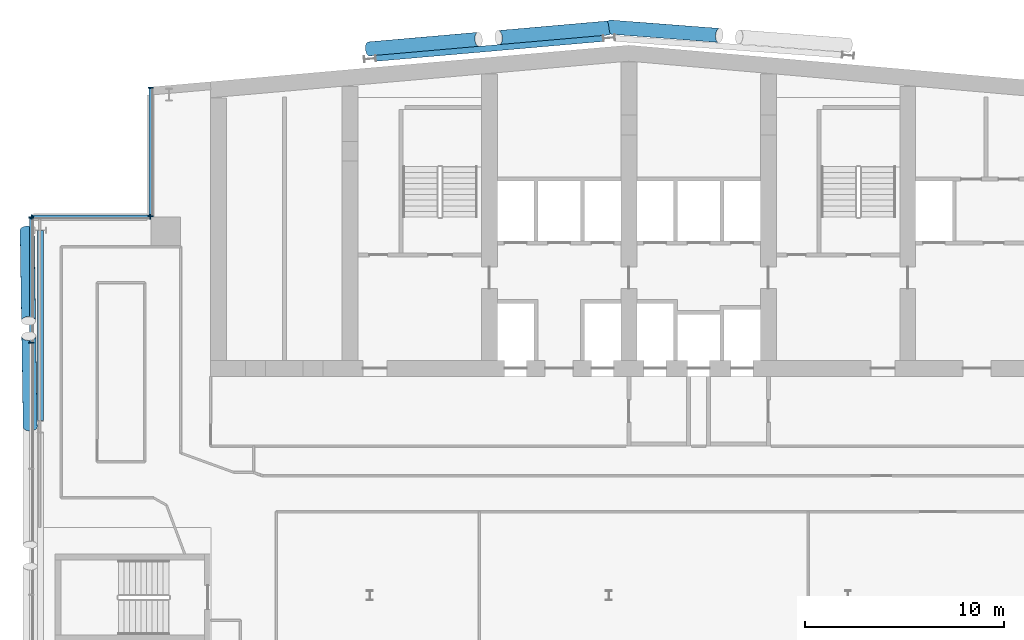
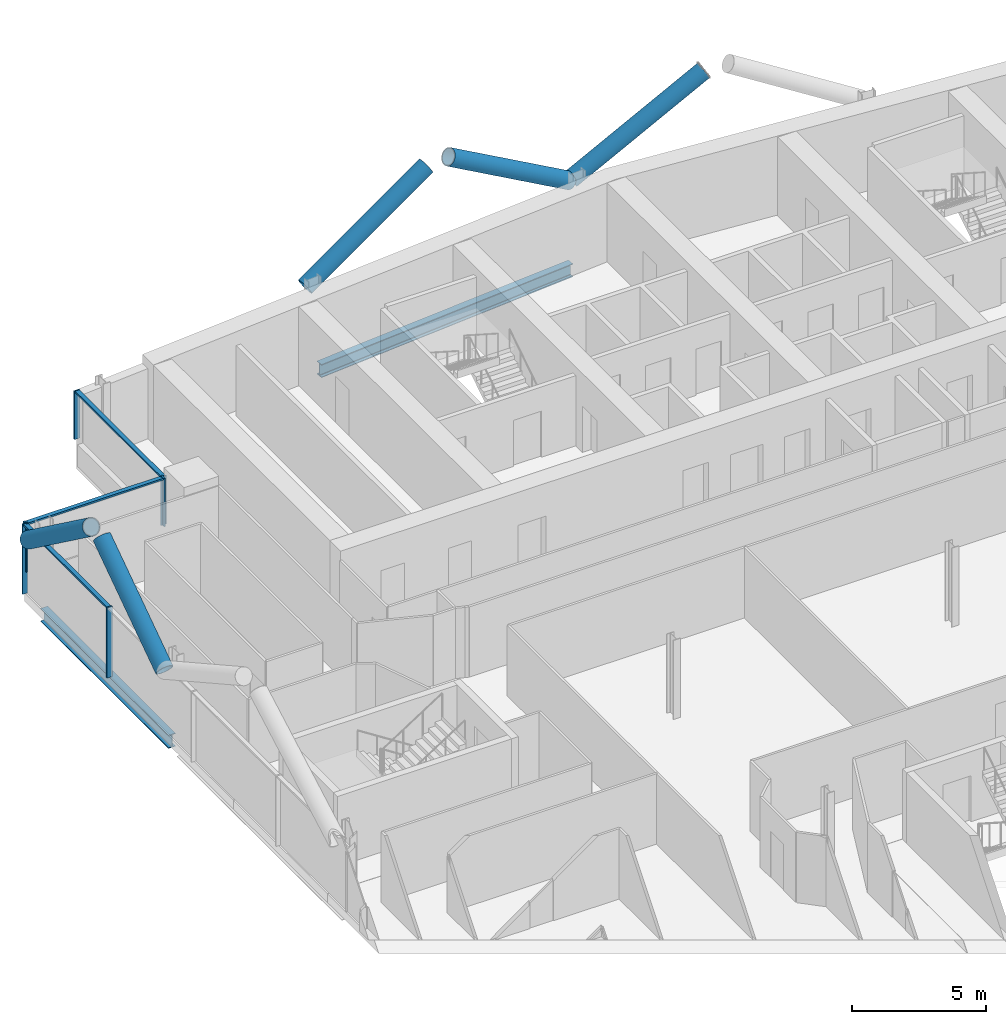
# One storey, part 9 of 27: 14 members, 2 beams, 3 elements without a shape of their own.
"""IFC4 building model written with IfcOpenShell, lengths in metres."""

from ifc_helpers import new_model, si_unit, direction, frame, origin, origin_2d, place, context, subcontext, project, spatial, rectangle, hollow_circle, i_section, extrude, material, material_profile, profile_set, type_object, element, aggregate, save


model = new_model("IFC4")

# Units and contexts
model_context = context("Model", 3, precision=1e-05, world=origin(), true_north=direction((0.0, 1.0)))
body_context = subcontext(model_context, "Body", "Model", "MODEL_VIEW")
ifc_project = project(units=[si_unit("LENGTHUNIT", "METRE"), si_unit("AREAUNIT", "SQUARE_METRE"), si_unit("VOLUMEUNIT", "CUBIC_METRE"), si_unit("PLANEANGLEUNIT", "RADIAN"), si_unit("MASSUNIT", "GRAM", prefix="KILO")], contexts=[model_context])

# Site, building, storey
site_placement = place(None, origin())
site = spatial("IfcSite", under=ifc_project, at=site_placement, CompositionType="ELEMENT")
building_placement = place(site_placement, origin())
building = spatial("IfcBuilding", under=site, at=building_placement, Name="Wharfspan Tower", CompositionType="ELEMENT")
storey_placement = place(building_placement, frame((0.0, 0.0, 191.5)))
storey = spatial("IfcBuildingStorey", under=building, at=storey_placement, Name="L47", CompositionType="ELEMENT", Elevation=191.5)

# Beams
ifc_material_1 = material(Name="Steel S355J2", Category="steel")
ifc_material_profile_1 = material_profile(ifc_material_1, i_section(OverallWidth=0.300049, OverallDepth=0.600098, WebThickness=0.015381, FlangeThickness=0.030029, FilletRadius=0.0271, at=origin_2d()))
ifc_profile_set_1 = profile_set([ifc_material_profile_1], Name="Steel S355J2")
beam_type = type_object("IfcBeamType", Name="Edge beam HEB 600", PredefinedType="SPANDREL", material=ifc_profile_set_1)
beam_1_placement = place(storey_placement, frame((35.705078, 50.961426, -0.699951), z_axis=(-0.996194, -0.087158, 0.0), x_axis=(0.087158, -0.996194, 0.0)))
element("IfcBeam", 1, at=beam_1_placement, inside=storey, type_object=beam_type, Name="Edge beam N1 L47 R.2 to R.1", PredefinedType="SPANDREL", context=body_context, shape_type="SweptSolid", body=[
    extrude(i_section(OverallWidth=0.300049, OverallDepth=0.600098, WebThickness=0.015381, FlangeThickness=0.030029, FilletRadius=0.0271, at=origin_2d()), origin(), (0.0, 0.0, 1.0), 11.453857),
])
beam_2_placement = place(storey_placement, frame((7.450439, 41.32666, -0.699951), z_axis=(-5.1e-05, -1.0, 0.0), x_axis=(1.0, -5.1e-05, 0.0)))
element("IfcBeam", 2, at=beam_2_placement, inside=storey, type_object=beam_type, Name="Edge beam W L47 PNRW-H.1 to PW.1", PredefinedType="SPANDREL", context=body_context, shape_type="SweptSolid", body=[
    extrude(i_section(OverallWidth=0.300049, OverallDepth=0.600098, WebThickness=0.015381, FlangeThickness=0.030029, FilletRadius=0.0271, at=origin_2d()), origin(), (0.0, 0.0, 1.0), 9.553955),
])

# Curtain wall, members
ifc_material_2 = material(Name="Aluminium 6063-T6", Category="aluminium")
curtain_wall_type = type_object("IfcCurtainWallType", Name="CURTAIN WALL PROW AND END", PredefinedType="NOTDEFINED", material=ifc_material_2)
curtain_wall_1_placement = place(storey_placement, origin())
curtain_wall_1 = element("IfcCurtainWall", 3, at=curtain_wall_1_placement, inside=storey, type_object=curtain_wall_type, Name="Curtain wall NRW-V", PredefinedType="NOTDEFINED")
ifc_material_profile_2 = material_profile(ifc_material_2, rectangle(XDim=0.23999, YDim=0.060059, at=origin_2d()))
ifc_profile_set_2 = profile_set([ifc_material_profile_2], Name="Aluminium 6063-T6")
member_type_1 = type_object("IfcMemberType", Name="MULLION PROW AND END 60x240", PredefinedType="MULLION", material=ifc_profile_set_2)
member_1_placement = place(storey_placement, frame((13.0, 48.494873, 1.0), z_axis=(0.0, 0.0, 1.0), x_axis=(1.0, 0.0, 0.0)))
member_1 = element("IfcMember", 4, at=member_1_placement, type_object=member_type_1, Name="Curtain wall NRW-V mullion 1", PredefinedType="MULLION", context=body_context, shape_type="SweptSolid", body=[
    extrude(rectangle(XDim=0.23999, YDim=0.060059, at=origin_2d()), origin(), (0.0, 0.0, 1.0), 2.199951),
])
member_2_placement = place(storey_placement, frame((13.0, 42.030029, 1.0), z_axis=(0.0, 0.0, 1.0), x_axis=(1.0, 0.0, 0.0)))
member_2 = element("IfcMember", 5, at=member_2_placement, type_object=member_type_1, Name="Curtain wall NRW-V mullion 2", PredefinedType="MULLION", context=body_context, shape_type="SweptSolid", body=[
    extrude(rectangle(XDim=0.23999, YDim=0.060059, at=origin_2d()), origin(), (0.0, 0.0, 1.0), 2.199951),
])

curtain_wall_2_placement = place(storey_placement, origin())
curtain_wall_2 = element("IfcCurtainWall", 6, at=curtain_wall_2_placement, inside=storey, type_object=curtain_wall_type, Name="Curtain wall NRW-H", PredefinedType="NOTDEFINED")
member_3_placement = place(storey_placement, frame((12.969971, 42.0, 1.0), z_axis=(0.0, 0.0, 1.0), x_axis=(0.0, -1.0, 0.0)))
member_3 = element("IfcMember", 7, at=member_3_placement, type_object=member_type_1, Name="Curtain wall NRW-H mullion 1", PredefinedType="MULLION", context=body_context, shape_type="SweptSolid", body=[
    extrude(rectangle(XDim=0.23999, YDim=0.060059, at=origin_2d()), origin(), (0.0, 0.0, 1.0), 2.199951),
])
member_4_placement = place(storey_placement, frame((7.030029, 42.0, 1.0), z_axis=(0.0, 0.0, 1.0), x_axis=(0.0, -1.0, 0.0)))
member_4 = element("IfcMember", 8, at=member_4_placement, type_object=member_type_1, Name="Curtain wall NRW-H mullion 2", PredefinedType="MULLION", context=body_context, shape_type="SweptSolid", body=[
    extrude(rectangle(XDim=0.23999, YDim=0.060059, at=origin_2d()), origin(), (0.0, 0.0, 1.0), 2.199951),
])

curtain_wall_3_placement = place(storey_placement, origin())
curtain_wall_3 = element("IfcCurtainWall", 9, at=curtain_wall_3_placement, inside=storey, type_object=curtain_wall_type, Name="Curtain wall W", PredefinedType="NOTDEFINED")
member_5_placement = place(storey_placement, frame((7.0, 41.969971, 0.0), z_axis=(0.0, 0.0, 1.0), x_axis=(1.0, 0.0, 0.0)))
member_5 = element("IfcMember", 10, at=member_5_placement, type_object=member_type_1, Name="Curtain wall W mullion 1", PredefinedType="MULLION", context=body_context, shape_type="SweptSolid", body=[
    extrude(rectangle(XDim=0.23999, YDim=0.060059, at=origin_2d()), origin(), (0.0, 0.0, 1.0), 3.199951),
])
member_6_placement = place(storey_placement, frame((7.0, 35.679932, 0.0), z_axis=(0.0, 0.0, 1.0), x_axis=(1.0, 0.0, 0.0)))
member_6 = element("IfcMember", 11, at=member_6_placement, type_object=member_type_1, Name="Curtain wall W mullion 2", PredefinedType="MULLION", context=body_context, shape_type="SweptSolid", body=[
    extrude(rectangle(XDim=0.23999, YDim=0.060059, at=origin_2d()), origin(), (0.0, 0.0, 1.0), 3.199951),
])

# Members
ifc_material_3 = material(Name="Steel S460NH", Category="steel")
ifc_material_profile_3 = material_profile(ifc_material_3, hollow_circle(Radius=0.355469, WallThickness=0.035889, at=origin_2d()))
ifc_profile_set_3 = profile_set([ifc_material_profile_3], Name="Steel S460NH")
member_type_2 = type_object("IfcMemberType", Name="Mega brace CHS 711x36", PredefinedType="BRACE", material=ifc_profile_set_3)
for number, where, z_axis, x_axis, name in (
    (12, (6.788086, 41.333008, 2.899902), (0.01285, -0.807696, 0.589459), (0.999875, 0.015906, -2e-06), "Mega brace W4 L48 part 1"),
    (13, (6.945068, 31.466553, 2.899902), (-0.01285, 0.807711, 0.589439), (-0.999876, -0.015905, -3e-06), "Mega brace W4 L48 part 3"),
):
    element("IfcMember", number, at=place(storey_placement, frame(where, z_axis=z_axis, x_axis=x_axis)), inside=storey, type_object=member_type_2, Name=name, PredefinedType="BRACE", context=body_context, shape_type="SweptSolid", body=[
        extrude(hollow_circle(Radius=0.355469, WallThickness=0.035889, at=origin_2d()), origin(), (0.0, 0.0, 1.0), 5.623779),
    ])
member_7_placement = place(storey_placement, frame((23.956299, 50.437988, 2.899902), z_axis=(0.855083, 0.074809, 0.513065), x_axis=(-0.087154, 0.996196, -1e-06)))
element("IfcMember", 14, at=member_7_placement, inside=storey, type_object=member_type_2, Name="Mega brace N7 L48 part 1", PredefinedType="BRACE", context=body_context, shape_type="SweptSolid", body=[
    extrude(hollow_circle(Radius=0.355469, WallThickness=0.035889, at=origin_2d()), origin(), (0.0, 0.0, 1.0), 6.425781),
])
member_8_placement = place(storey_placement, frame((35.956299, 51.487793, 2.899902), z_axis=(-0.855094, -0.074807, 0.513049), x_axis=(0.087152, -0.996192, 2e-06)))
element("IfcMember", 15, at=member_8_placement, inside=storey, type_object=member_type_2, Name="Mega brace N7 L48 part 3", PredefinedType="BRACE", context=body_context, shape_type="SweptSolid", body=[
    extrude(hollow_circle(Radius=0.355469, WallThickness=0.035889, at=origin_2d()), origin(), (0.0, 0.0, 1.0), 6.426025),
])
member_9_placement = place(storey_placement, frame((36.039795, 51.53418, 2.899902), z_axis=(0.855596, -0.065362, 0.513502), x_axis=(0.076171, 0.997095, 1e-06)))
element("IfcMember", 16, at=member_9_placement, inside=storey, type_object=member_type_2, Name="Mega brace N8 L48 part 1", PredefinedType="BRACE", context=body_context, shape_type="SweptSolid", body=[
    extrude(hollow_circle(Radius=0.355469, WallThickness=0.035889, at=origin_2d()), origin(), (0.0, 0.0, 1.0), 6.420898),
])

# Member
ifc_material_profile_4 = material_profile(ifc_material_2, rectangle(XDim=0.179932, YDim=0.080078, at=origin_2d()))
ifc_profile_set_4 = profile_set([ifc_material_profile_4], Name="Aluminium 6063-T6")
member_type_3 = type_object("IfcMemberType", Name="TRANSOM PROW AND END 80x180", PredefinedType="USERDEFINED", material=ifc_profile_set_4)
member_10_placement = place(storey_placement, frame((13.0, 48.464844, 3.159912), z_axis=(0.0, -1.0, 0.0), x_axis=(1.0, 0.0, 0.0)))
member_10 = element("IfcMember", 17, at=member_10_placement, type_object=member_type_3, Name="Curtain wall NRW-V transom 1", ObjectType="TRANSOM", PredefinedType="USERDEFINED", context=body_context, shape_type="SweptSolid", body=[
    extrude(rectangle(XDim=0.179932, YDim=0.080078, at=origin_2d()), origin(), (0.0, 0.0, 1.0), 6.404785),
])

aggregate(curtain_wall_1, [member_1, member_2, member_10])

member_11_placement = place(storey_placement, frame((12.939941, 42.0, 3.159912), z_axis=(-1.0, 0.0, 0.0), x_axis=(0.0, -1.0, 0.0)))
member_11 = element("IfcMember", 18, at=member_11_placement, type_object=member_type_3, Name="Curtain wall NRW-H transom 1", ObjectType="TRANSOM", PredefinedType="USERDEFINED", context=body_context, shape_type="SweptSolid", body=[
    extrude(rectangle(XDim=0.179932, YDim=0.080078, at=origin_2d()), origin(), (0.0, 0.0, 1.0), 5.879883),
])

aggregate(curtain_wall_2, [member_3, member_4, member_11])

member_12_placement = place(storey_placement, frame((7.0, 41.939941, 3.159912), z_axis=(0.0, -1.0, 0.0), x_axis=(1.0, 0.0, 0.0)))
member_12 = element("IfcMember", 19, at=member_12_placement, type_object=member_type_3, Name="Curtain wall W transom 1", ObjectType="TRANSOM", PredefinedType="USERDEFINED", context=body_context, shape_type="SweptSolid", body=[
    extrude(rectangle(XDim=0.179932, YDim=0.080078, at=origin_2d()), origin(), (0.0, 0.0, 1.0), 6.22998),
])

aggregate(curtain_wall_3, [member_5, member_6, member_12])

save(model, "model.ifc")
